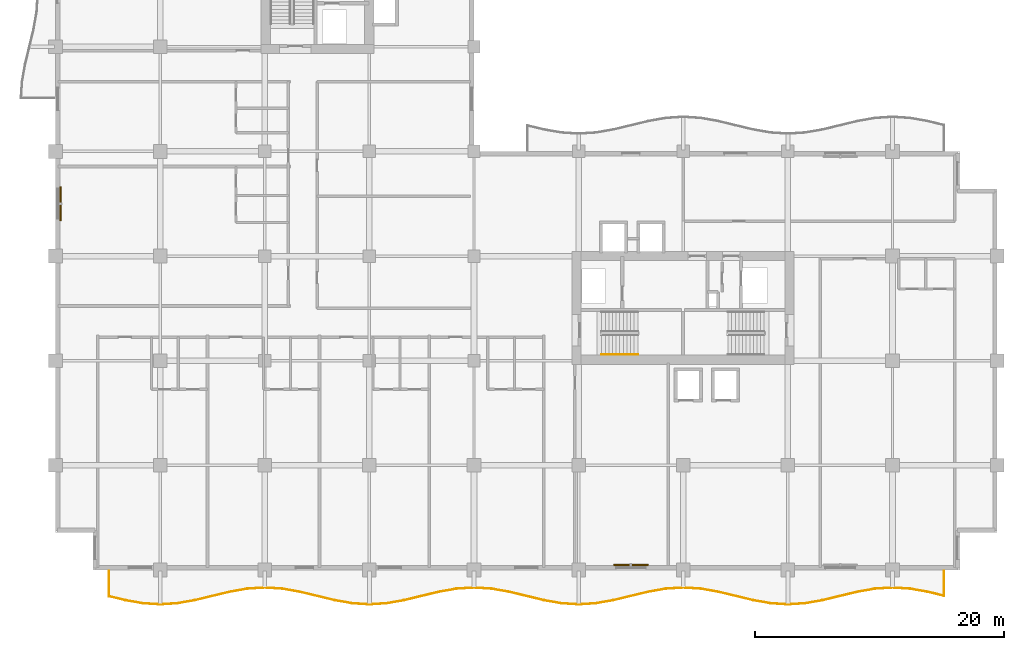
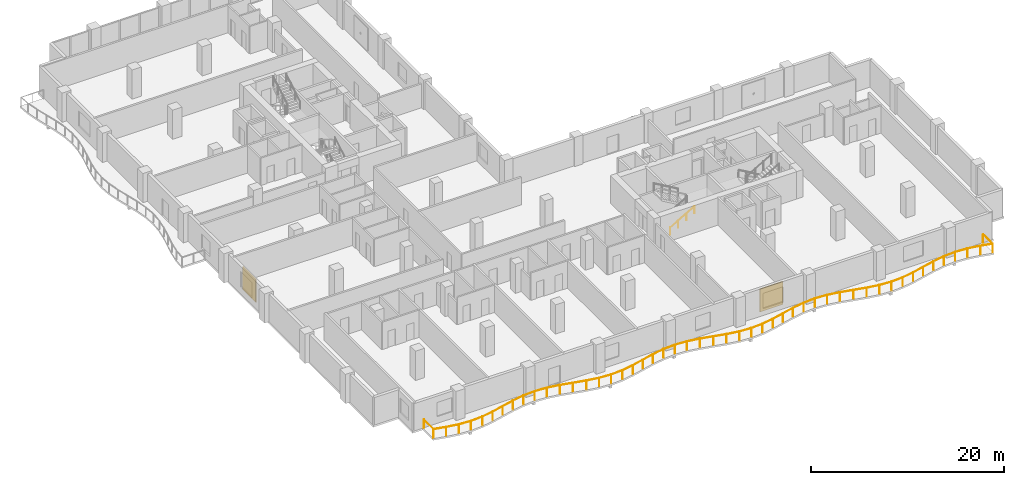
# One storey, part 17 of 20: 2 railings, 2 shading devices.
"""IFC4 building model written with IfcOpenShell, lengths in metres."""

from ifc_helpers import new_model, si_unit, direction, frame, origin, origin_2d, place, context, subcontext, project, spatial, rectangle, circle, extrude, material, layer, layer_set, type_object, element, save


model = new_model("IFC4")

# Units and contexts
model_context = context("Model", 3, precision=1e-05, world=origin(), true_north=direction((0.0, 1.0)))
body_context = subcontext(model_context, "Body", "Model", "MODEL_VIEW")
ifc_project = project(units=[si_unit("LENGTHUNIT", "METRE"), si_unit("AREAUNIT", "SQUARE_METRE"), si_unit("VOLUMEUNIT", "CUBIC_METRE"), si_unit("PLANEANGLEUNIT", "RADIAN"), si_unit("MASSUNIT", "GRAM", prefix="KILO")], contexts=[model_context])

# Site, building, storey
site_placement = place(None, origin())
site = spatial("IfcSite", under=ifc_project, at=site_placement, CompositionType="ELEMENT")
building_placement = place(site_placement, origin())
building = spatial("IfcBuilding", under=site, at=building_placement, Name="Koriwani Terraces Tower", CompositionType="ELEMENT")
storey_placement = place(building_placement, frame((0.0, 0.0, 175.39990234375)))
storey = spatial("IfcBuildingStorey", under=building, at=storey_placement, Name="L42", CompositionType="ELEMENT", Elevation=175.39990234375)

# Railings
ifc_material_1 = material(Name="Steel ASTM A572 Grade 50", Category="steel")
railing_type_1 = type_object("IfcRailingType", Name="GUARD_BALUSTRADE_1150", PredefinedType="BALUSTRADE", material=ifc_material_1)
railing_1_placement = place(storey_placement, frame((4.280029296875, -0.080078125, 0.0)))
element("IfcRailing", 1, at=railing_1_placement, inside=storey, type_object=railing_type_1, Name="L42 Balcony Perimeter Safety Balustrade (S)", PredefinedType="BALUSTRADE", context=body_context, shape_type="SweptSolid", body=[
    extrude(circle(Radius=0.02392578125, at=origin_2d()), frame((0.0, 0.0, 1.1259765625), z_axis=(0.0, -1.0, 0.0), x_axis=(1.0, 0.0, 0.0)), (0.0, 0.0, 1.0), 2.031982421875),
    extrude(circle(Radius=0.02392578125, at=origin_2d()), frame((0.0, -2.031982421875, 1.1259765625), z_axis=(0.972165971674, -0.23429324258, 0.0), x_axis=(0.23429324258, 0.972165971674, 0.0)), (0.0, 0.0, 1.0), 1.37451171875),
    extrude(circle(Radius=0.02392578125, at=origin_2d()), frame((1.336181640625, -2.35400390625, 1.1259765625), z_axis=(0.984757491153, -0.173932985997, 0.0), x_axis=(0.173932985997, 0.984757491153, 0.0)), (0.0, 0.0, 1.0), 1.414794921875),
    extrude(circle(Radius=0.02392578125, at=origin_2d()), frame((2.7294921875, -2.60009765625, 1.1259765625), z_axis=(0.997930027485, -0.064309099225, 0.0), x_axis=(0.064309099225, 0.997930027485, 0.0)), (0.0, 0.0, 1.0), 1.393310546875),
    extrude(circle(Radius=0.02392578125, at=origin_2d()), frame((4.119873046875, -2.689697265625, 1.1259765625), z_axis=(0.997930027485, 0.064309099225, 0.0), x_axis=(-0.064309099225, 0.997930027485, 0.0)), (0.0, 0.0, 1.0), 1.393310546875),
    extrude(circle(Radius=0.02392578125, at=origin_2d()), frame((5.51025390625, -2.60009765625, 1.1259765625), z_axis=(0.984757491153, 0.173932985997, 0.0), x_axis=(-0.173932985997, 0.984757491153, 0.0)), (0.0, 0.0, 1.0), 1.414794921875),
    extrude(circle(Radius=0.02392578125, at=origin_2d()), frame((6.903564453125, -2.35400390625, 1.1259765625), z_axis=(0.972166814785, 0.234289744186, 0.0), x_axis=(-0.234289744186, 0.972166814785, 0.0)), (0.0, 0.0, 1.0), 2.880126953125),
    extrude(circle(Radius=0.02392578125, at=origin_2d()), frame((9.70361328125, -1.67919921875, 1.1259765625), z_axis=(0.984778396698, 0.173814583381, 0.0), x_axis=(-0.173814583381, 0.984778396698, 0.0)), (0.0, 0.0, 1.0), 1.428466796875),
    extrude(circle(Radius=0.02392578125, at=origin_2d()), frame((11.1103515625, -1.430908203125, 1.1259765625), z_axis=(0.997931036226, 0.064293443969, 0.0), x_axis=(-0.064293443969, 0.997931036226, 0.0)), (0.0, 0.0, 1.0), 1.41259765625),
    extrude(circle(Radius=0.02392578125, at=origin_2d()), frame((12.52001953125, -1.340087890625, 1.1259765625), z_axis=(0.997930321615, -0.064304534842, 0.0), x_axis=(0.064304534842, 0.997930321615, 0.0)), (0.0, 0.0, 1.0), 1.412353515625),
    extrude(circle(Radius=0.02392578125, at=origin_2d()), frame((13.929443359375, -1.430908203125, 1.1259765625), z_axis=(0.984778396698, -0.173814583381, 0.0), x_axis=(0.173814583381, 0.984778396698, 0.0)), (0.0, 0.0, 1.0), 1.428466796875),
    extrude(circle(Radius=0.02392578125, at=origin_2d()), frame((15.336181640625, -1.67919921875, 1.1259765625), z_axis=(0.972166814785, -0.234289744186, 0.0), x_axis=(0.234289744186, 0.972166814785, 0.0)), (0.0, 0.0, 1.0), 2.880126953125),
    extrude(circle(Radius=0.02392578125, at=origin_2d()), frame((18.13623046875, -2.35400390625, 1.1259765625), z_axis=(0.984757491153, -0.173932985997, 0.0), x_axis=(0.173932985997, 0.984757491153, 0.0)), (0.0, 0.0, 1.0), 1.414794921875),
    extrude(circle(Radius=0.02392578125, at=origin_2d()), frame((19.529541015625, -2.60009765625, 1.1259765625), z_axis=(0.997930027485, -0.064309099225, 0.0), x_axis=(0.064309099225, 0.997930027485, 0.0)), (0.0, 0.0, 1.0), 1.393310546875),
    extrude(circle(Radius=0.02392578125, at=origin_2d()), frame((20.919921875, -2.689697265625, 1.1259765625), z_axis=(0.997930027485, 0.064309099225, 0.0), x_axis=(-0.064309099225, 0.997930027485, 0.0)), (0.0, 0.0, 1.0), 1.393310546875),
    extrude(circle(Radius=0.02392578125, at=origin_2d()), frame((22.310302734375, -2.60009765625, 1.1259765625), z_axis=(0.984757491153, 0.173932985997, 0.0), x_axis=(-0.173932985997, 0.984757491153, 0.0)), (0.0, 0.0, 1.0), 1.414794921875),
    extrude(circle(Radius=0.02392578125, at=origin_2d()), frame((23.70361328125, -2.35400390625, 1.1259765625), z_axis=(0.972166814785, 0.234289744186, 0.0), x_axis=(-0.234289744186, 0.972166814785, 0.0)), (0.0, 0.0, 1.0), 2.880126953125),
    extrude(circle(Radius=0.02392578125, at=origin_2d()), frame((26.503662109375, -1.67919921875, 1.1259765625), z_axis=(0.984778396698, 0.173814583381, 0.0), x_axis=(-0.173814583381, 0.984778396698, 0.0)), (0.0, 0.0, 1.0), 1.428466796875),
    extrude(circle(Radius=0.02392578125, at=origin_2d()), frame((27.910400390625, -1.430908203125, 1.1259765625), z_axis=(0.997931036226, 0.064293443969, 0.0), x_axis=(-0.064293443969, 0.997931036226, 0.0)), (0.0, 0.0, 1.0), 1.41259765625),
    extrude(circle(Radius=0.02392578125, at=origin_2d()), frame((29.320068359375, -1.340087890625, 1.1259765625), z_axis=(0.997930321615, -0.064304534842, 0.0), x_axis=(0.064304534842, 0.997930321615, 0.0)), (0.0, 0.0, 1.0), 1.412353515625),
    extrude(circle(Radius=0.02392578125, at=origin_2d()), frame((30.7294921875, -1.430908203125, 1.1259765625), z_axis=(0.984778396698, -0.173814583381, 0.0), x_axis=(0.173814583381, 0.984778396698, 0.0)), (0.0, 0.0, 1.0), 1.428466796875),
    extrude(circle(Radius=0.02392578125, at=origin_2d()), frame((32.13623046875, -1.67919921875, 1.1259765625), z_axis=(0.972166814785, -0.234289744186, 0.0), x_axis=(0.234289744186, 0.972166814785, 0.0)), (0.0, 0.0, 1.0), 2.880126953125),
    extrude(circle(Radius=0.02392578125, at=origin_2d()), frame((34.936279296875, -2.35400390625, 1.1259765625), z_axis=(0.984757491153, -0.173932985997, 0.0), x_axis=(0.173932985997, 0.984757491153, 0.0)), (0.0, 0.0, 1.0), 1.414794921875),
    extrude(circle(Radius=0.02392578125, at=origin_2d()), frame((36.32958984375, -2.60009765625, 1.1259765625), z_axis=(0.997930027485, -0.064309099225, 0.0), x_axis=(0.064309099225, 0.997930027485, 0.0)), (0.0, 0.0, 1.0), 1.393310546875),
    extrude(circle(Radius=0.02392578125, at=origin_2d()), frame((37.719970703125, -2.689697265625, 1.1259765625), z_axis=(0.997930027485, 0.064309099225, 0.0), x_axis=(-0.064309099225, 0.997930027485, 0.0)), (0.0, 0.0, 1.0), 1.393310546875),
    extrude(circle(Radius=0.02392578125, at=origin_2d()), frame((39.1103515625, -2.60009765625, 1.1259765625), z_axis=(0.984757491153, 0.173932985997, 0.0), x_axis=(-0.173932985997, 0.984757491153, 0.0)), (0.0, 0.0, 1.0), 1.414794921875),
    extrude(circle(Radius=0.02392578125, at=origin_2d()), frame((40.503662109375, -2.35400390625, 1.1259765625), z_axis=(0.972166814785, 0.234289744186, 0.0), x_axis=(-0.234289744186, 0.972166814785, 0.0)), (0.0, 0.0, 1.0), 2.880126953125),
    extrude(circle(Radius=0.02392578125, at=origin_2d()), frame((43.3037109375, -1.67919921875, 1.1259765625), z_axis=(0.984778396698, 0.173814583381, 0.0), x_axis=(-0.173814583381, 0.984778396698, 0.0)), (0.0, 0.0, 1.0), 1.428466796875),
    extrude(circle(Radius=0.02392578125, at=origin_2d()), frame((44.71044921875, -1.430908203125, 1.1259765625), z_axis=(0.997930321615, 0.064304534842, 0.0), x_axis=(-0.064304534842, 0.997930321615, 0.0)), (0.0, 0.0, 1.0), 1.412353515625),
    extrude(circle(Radius=0.02392578125, at=origin_2d()), frame((46.119873046875, -1.340087890625, 1.1259765625), z_axis=(0.997931036226, -0.064293443969, 0.0), x_axis=(0.064293443969, 0.997931036226, 0.0)), (0.0, 0.0, 1.0), 1.41259765625),
    extrude(circle(Radius=0.02392578125, at=origin_2d()), frame((47.529541015625, -1.430908203125, 1.1259765625), z_axis=(0.984778396698, -0.173814583381, 0.0), x_axis=(0.173814583381, 0.984778396698, 0.0)), (0.0, 0.0, 1.0), 1.428466796875),
    extrude(circle(Radius=0.02392578125, at=origin_2d()), frame((48.936279296875, -1.67919921875, 1.1259765625), z_axis=(0.972166814785, -0.234289744186, 0.0), x_axis=(0.234289744186, 0.972166814785, 0.0)), (0.0, 0.0, 1.0), 2.880126953125),
    extrude(circle(Radius=0.02392578125, at=origin_2d()), frame((51.736328125, -2.35400390625, 1.1259765625), z_axis=(0.984757491153, -0.173932985997, 0.0), x_axis=(0.173932985997, 0.984757491153, 0.0)), (0.0, 0.0, 1.0), 1.414794921875),
    extrude(circle(Radius=0.02392578125, at=origin_2d()), frame((53.129638671875, -2.60009765625, 1.1259765625), z_axis=(0.997930027485, -0.064309099225, 0.0), x_axis=(0.064309099225, 0.997930027485, 0.0)), (0.0, 0.0, 1.0), 1.393310546875),
    extrude(circle(Radius=0.02392578125, at=origin_2d()), frame((54.52001953125, -2.689697265625, 1.1259765625), z_axis=(0.997930027485, 0.064309099225, 0.0), x_axis=(-0.064309099225, 0.997930027485, 0.0)), (0.0, 0.0, 1.0), 1.393310546875),
    extrude(circle(Radius=0.02392578125, at=origin_2d()), frame((55.910400390625, -2.60009765625, 1.1259765625), z_axis=(0.984757491153, 0.173932985997, 0.0), x_axis=(-0.173932985997, 0.984757491153, 0.0)), (0.0, 0.0, 1.0), 1.414794921875),
    extrude(circle(Radius=0.02392578125, at=origin_2d()), frame((57.3037109375, -2.35400390625, 1.1259765625), z_axis=(0.972166814785, 0.234289744186, 0.0), x_axis=(-0.234289744186, 0.972166814785, 0.0)), (0.0, 0.0, 1.0), 2.880126953125),
    extrude(circle(Radius=0.02392578125, at=origin_2d()), frame((60.103759765625, -1.67919921875, 1.1259765625), z_axis=(0.984778396698, 0.173814583381, 0.0), x_axis=(-0.173814583381, 0.984778396698, 0.0)), (0.0, 0.0, 1.0), 1.428466796875),
    extrude(circle(Radius=0.02392578125, at=origin_2d()), frame((61.510498046875, -1.430908203125, 1.1259765625), z_axis=(0.997930321615, 0.064304534842, 0.0), x_axis=(-0.064304534842, 0.997930321615, 0.0)), (0.0, 0.0, 1.0), 1.412353515625),
    extrude(circle(Radius=0.02392578125, at=origin_2d()), frame((62.919921875, -1.340087890625, 1.1259765625), z_axis=(0.997931036226, -0.064293443969, 0.0), x_axis=(0.064293443969, 0.997931036226, 0.0)), (0.0, 0.0, 1.0), 1.41259765625),
    extrude(circle(Radius=0.02392578125, at=origin_2d()), frame((64.32958984375, -1.430908203125, 1.1259765625), z_axis=(0.984778396698, -0.173814583381, 0.0), x_axis=(0.173814583381, 0.984778396698, 0.0)), (0.0, 0.0, 1.0), 1.428466796875),
    extrude(circle(Radius=0.02392578125, at=origin_2d()), frame((65.736328125, -1.67919921875, 1.1259765625), z_axis=(0.972163766848, -0.234302390999, 0.0), x_axis=(0.234302390999, 0.972163766848, 0.0)), (0.0, 0.0, 1.0), 1.341064453125),
    extrude(circle(Radius=0.02392578125, at=origin_2d()), frame((67.0400390625, -1.993408203125, 1.1259765625), z_axis=(0.0, 1.0, 0.0), x_axis=(-1.0, 0.0, 0.0)), (0.0, 0.0, 1.0), 1.993408203125),
    extrude(circle(Radius=0.02099609375, at=origin_2d()), origin(), (0.0, 0.0, 1.0), 1.101806640625),
    extrude(circle(Radius=0.02099609375, at=origin_2d()), frame((0.0, -2.031982421875, 0.0)), (0.0, 0.0, 1.0), 1.101806640625),
    extrude(circle(Radius=0.02099609375, at=origin_2d()), frame((1.336181640625, -2.35400390625, 0.0)), (0.0, 0.0, 1.0), 1.101806640625),
    extrude(circle(Radius=0.02099609375, at=origin_2d()), frame((2.7294921875, -2.60009765625, 0.0)), (0.0, 0.0, 1.0), 1.101806640625),
    extrude(circle(Radius=0.02099609375, at=origin_2d()), frame((4.119873046875, -2.689697265625, 0.0)), (0.0, 0.0, 1.0), 1.101806640625),
    extrude(circle(Radius=0.02099609375, at=origin_2d()), frame((5.51025390625, -2.60009765625, 0.0)), (0.0, 0.0, 1.0), 1.101806640625),
    extrude(circle(Radius=0.02099609375, at=origin_2d()), frame((6.903564453125, -2.35400390625, 0.0)), (0.0, 0.0, 1.0), 1.101806640625),
    extrude(circle(Radius=0.02099609375, at=origin_2d()), frame((8.3037109375, -2.0166015625, 0.0)), (0.0, 0.0, 1.0), 1.101806640625),
    extrude(circle(Radius=0.02099609375, at=origin_2d()), frame((9.70361328125, -1.67919921875, 0.0)), (0.0, 0.0, 1.0), 1.101806640625),
    extrude(circle(Radius=0.02099609375, at=origin_2d()), frame((11.1103515625, -1.430908203125, 0.0)), (0.0, 0.0, 1.0), 1.101806640625),
    extrude(circle(Radius=0.02099609375, at=origin_2d()), frame((12.52001953125, -1.340087890625, 0.0)), (0.0, 0.0, 1.0), 1.101806640625),
    extrude(circle(Radius=0.02099609375, at=origin_2d()), frame((13.929443359375, -1.430908203125, 0.0)), (0.0, 0.0, 1.0), 1.101806640625),
    extrude(circle(Radius=0.02099609375, at=origin_2d()), frame((15.336181640625, -1.67919921875, 0.0)), (0.0, 0.0, 1.0), 1.101806640625),
    extrude(circle(Radius=0.02099609375, at=origin_2d()), frame((16.736328125, -2.0166015625, 0.0)), (0.0, 0.0, 1.0), 1.101806640625),
    extrude(circle(Radius=0.02099609375, at=origin_2d()), frame((18.13623046875, -2.35400390625, 0.0)), (0.0, 0.0, 1.0), 1.101806640625),
    extrude(circle(Radius=0.02099609375, at=origin_2d()), frame((19.529541015625, -2.60009765625, 0.0)), (0.0, 0.0, 1.0), 1.101806640625),
    extrude(circle(Radius=0.02099609375, at=origin_2d()), frame((20.919921875, -2.689697265625, 0.0)), (0.0, 0.0, 1.0), 1.101806640625),
    extrude(circle(Radius=0.02099609375, at=origin_2d()), frame((22.310302734375, -2.60009765625, 0.0)), (0.0, 0.0, 1.0), 1.101806640625),
    extrude(circle(Radius=0.02099609375, at=origin_2d()), frame((23.70361328125, -2.35400390625, 0.0)), (0.0, 0.0, 1.0), 1.101806640625),
    extrude(circle(Radius=0.02099609375, at=origin_2d()), frame((25.103515625, -2.0166015625, 0.0)), (0.0, 0.0, 1.0), 1.101806640625),
    extrude(circle(Radius=0.02099609375, at=origin_2d()), frame((26.503662109375, -1.67919921875, 0.0)), (0.0, 0.0, 1.0), 1.101806640625),
    extrude(circle(Radius=0.02099609375, at=origin_2d()), frame((27.910400390625, -1.430908203125, 0.0)), (0.0, 0.0, 1.0), 1.101806640625),
    extrude(circle(Radius=0.02099609375, at=origin_2d()), frame((29.320068359375, -1.340087890625, 0.0)), (0.0, 0.0, 1.0), 1.101806640625),
    extrude(circle(Radius=0.02099609375, at=origin_2d()), frame((30.7294921875, -1.430908203125, 0.0)), (0.0, 0.0, 1.0), 1.101806640625),
    extrude(circle(Radius=0.02099609375, at=origin_2d()), frame((32.13623046875, -1.67919921875, 0.0)), (0.0, 0.0, 1.0), 1.101806640625),
    extrude(circle(Radius=0.02099609375, at=origin_2d()), frame((33.5361328125, -2.0166015625, 0.0)), (0.0, 0.0, 1.0), 1.101806640625),
    extrude(circle(Radius=0.02099609375, at=origin_2d()), frame((34.936279296875, -2.35400390625, 0.0)), (0.0, 0.0, 1.0), 1.101806640625),
    extrude(circle(Radius=0.02099609375, at=origin_2d()), frame((36.32958984375, -2.60009765625, 0.0)), (0.0, 0.0, 1.0), 1.101806640625),
    extrude(circle(Radius=0.02099609375, at=origin_2d()), frame((37.719970703125, -2.689697265625, 0.0)), (0.0, 0.0, 1.0), 1.101806640625),
    extrude(circle(Radius=0.02099609375, at=origin_2d()), frame((39.1103515625, -2.60009765625, 0.0)), (0.0, 0.0, 1.0), 1.101806640625),
    extrude(circle(Radius=0.02099609375, at=origin_2d()), frame((40.503662109375, -2.35400390625, 0.0)), (0.0, 0.0, 1.0), 1.101806640625),
    extrude(circle(Radius=0.02099609375, at=origin_2d()), frame((41.90380859375, -2.0166015625, 0.0)), (0.0, 0.0, 1.0), 1.101806640625),
    extrude(circle(Radius=0.02099609375, at=origin_2d()), frame((43.3037109375, -1.67919921875, 0.0)), (0.0, 0.0, 1.0), 1.101806640625),
    extrude(circle(Radius=0.02099609375, at=origin_2d()), frame((44.71044921875, -1.430908203125, 0.0)), (0.0, 0.0, 1.0), 1.101806640625),
    extrude(circle(Radius=0.02099609375, at=origin_2d()), frame((46.119873046875, -1.340087890625, 0.0)), (0.0, 0.0, 1.0), 1.101806640625),
    extrude(circle(Radius=0.02099609375, at=origin_2d()), frame((47.529541015625, -1.430908203125, 0.0)), (0.0, 0.0, 1.0), 1.101806640625),
    extrude(circle(Radius=0.02099609375, at=origin_2d()), frame((48.936279296875, -1.67919921875, 0.0)), (0.0, 0.0, 1.0), 1.101806640625),
    extrude(circle(Radius=0.02099609375, at=origin_2d()), frame((50.33642578125, -2.0166015625, 0.0)), (0.0, 0.0, 1.0), 1.101806640625),
    extrude(circle(Radius=0.02099609375, at=origin_2d()), frame((51.736328125, -2.35400390625, 0.0)), (0.0, 0.0, 1.0), 1.101806640625),
    extrude(circle(Radius=0.02099609375, at=origin_2d()), frame((53.129638671875, -2.60009765625, 0.0)), (0.0, 0.0, 1.0), 1.101806640625),
    extrude(circle(Radius=0.02099609375, at=origin_2d()), frame((54.52001953125, -2.689697265625, 0.0)), (0.0, 0.0, 1.0), 1.101806640625),
    extrude(circle(Radius=0.02099609375, at=origin_2d()), frame((55.910400390625, -2.60009765625, 0.0)), (0.0, 0.0, 1.0), 1.101806640625),
    extrude(circle(Radius=0.02099609375, at=origin_2d()), frame((57.3037109375, -2.35400390625, 0.0)), (0.0, 0.0, 1.0), 1.101806640625),
    extrude(circle(Radius=0.02099609375, at=origin_2d()), frame((58.70361328125, -2.0166015625, 0.0)), (0.0, 0.0, 1.0), 1.101806640625),
    extrude(circle(Radius=0.02099609375, at=origin_2d()), frame((60.103759765625, -1.67919921875, 0.0)), (0.0, 0.0, 1.0), 1.101806640625),
    extrude(circle(Radius=0.02099609375, at=origin_2d()), frame((61.510498046875, -1.430908203125, 0.0)), (0.0, 0.0, 1.0), 1.101806640625),
    extrude(circle(Radius=0.02099609375, at=origin_2d()), frame((62.919921875, -1.340087890625, 0.0)), (0.0, 0.0, 1.0), 1.101806640625),
    extrude(circle(Radius=0.02099609375, at=origin_2d()), frame((64.32958984375, -1.430908203125, 0.0)), (0.0, 0.0, 1.0), 1.101806640625),
    extrude(circle(Radius=0.02099609375, at=origin_2d()), frame((65.736328125, -1.67919921875, 0.0)), (0.0, 0.0, 1.0), 1.101806640625),
    extrude(circle(Radius=0.02099609375, at=origin_2d()), frame((67.0400390625, -1.993408203125, 0.0)), (0.0, 0.0, 1.0), 1.101806640625),
    extrude(circle(Radius=0.02099609375, at=origin_2d()), frame((67.0400390625, 0.0, 0.0)), (0.0, 0.0, 1.0), 1.101806640625),
])
railing_type_2 = type_object("IfcRailingType", Name="HANDRAIL_STAIR_920", PredefinedType="HANDRAIL", material=ifc_material_1)
railing_2_placement = place(storey_placement, frame((43.85009765625, 17.300048828125, 0.168212890625)))
element("IfcRailing", 2, at=railing_2_placement, inside=storey, type_object=railing_type_2, Name="L42 ST-E1 stair handrail 1", PredefinedType="HANDRAIL", context=body_context, shape_type="SweptSolid", body=[
    extrude(circle(Radius=0.02392578125, at=origin_2d()), frame((0.0, 0.0, 0.8759765625), z_axis=(0.865038774852, 0.0, 0.501705010941), x_axis=(0.0, 1.0, 0.0)), (0.0, 0.0, 1.0), 3.352294921875),
    extrude(circle(Radius=0.02099609375, at=origin_2d()), origin(), (0.0, 0.0, 1.0), 0.851806640625),
    extrude(circle(Radius=0.02099609375, at=origin_2d()), frame((0.966552734375, 0.0, 0.560546875)), (0.0, 0.0, 1.0), 0.851806640625),
    extrude(circle(Radius=0.02099609375, at=origin_2d()), frame((1.933349609375, 0.0, 1.121337890625)), (0.0, 0.0, 1.0), 0.851806640625),
    extrude(circle(Radius=0.02099609375, at=origin_2d()), frame((2.89990234375, 0.0, 1.681884765625)), (0.0, 0.0, 1.0), 0.851806640625),
])

# Shading devices
ifc_material_2 = material(Name="Extruded Terracotta Clay", Category="masonry")
ifc_layer = layer(ifc_material_2, 0.1201171875, Name="Extruded Terracotta Clay")
ifc_layer_set = layer_set([ifc_layer], Name="Extruded Terracotta Clay")
shading_device_type = type_object("IfcShadingDeviceType", Name="TERRACOTTA_BAGUETTE_SCREEN_2800", PredefinedType="USERDEFINED", material=ifc_layer_set)
for number, where, z_axis, x_axis, name in (
    (3, (0.405029296875, 29.39990234375, 0.28515625), (0.0, 0.0, 1.0), (0.0, 1.0, 0.0), "L42 Extruded Terracotta Baguette Screen (W-9)"),
    (4, (46.199951171875, 0.405029296875, 0.28515625), (0.0, 0.0, 1.0), (-1.0, 0.0, 0.0), "L42 Extruded Terracotta Baguette Screen (S-15)"),
):
    element("IfcShadingDevice", number, at=place(storey_placement, frame(where, z_axis=z_axis, x_axis=x_axis)), inside=storey, type_object=shading_device_type, Name=name, ObjectType="BAGUETTE", PredefinedType="USERDEFINED", context=body_context, shape_type="SweptSolid", body=[
        extrude(rectangle(XDim=2.760009765625, YDim=0.1201171875, at=origin_2d()), origin(), (0.0, 0.0, 1.0), 2.89990234375),
    ])

save(model, "model.ifc")
